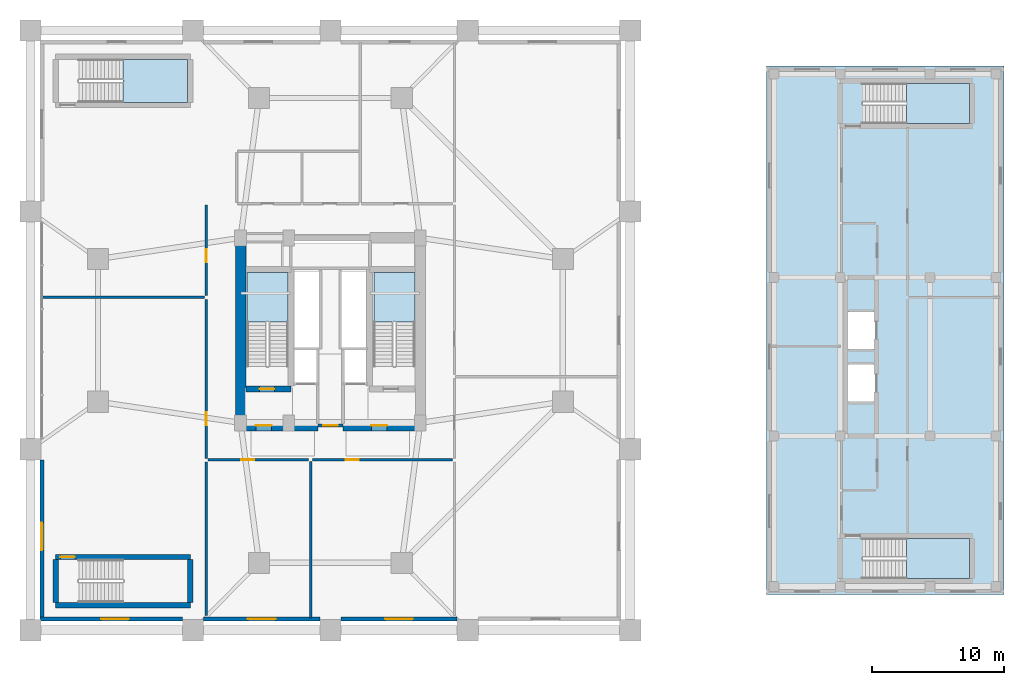
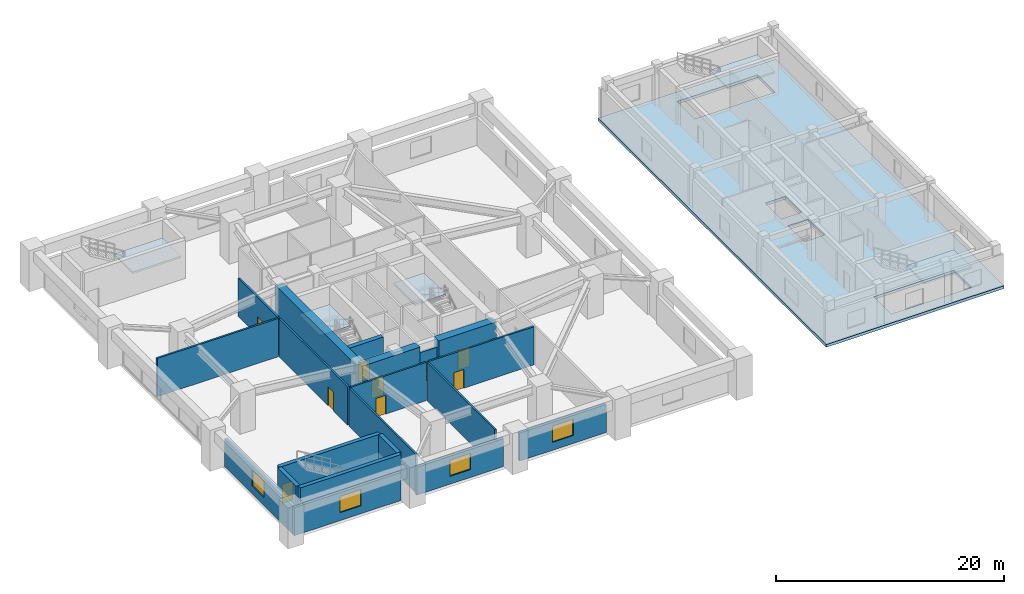
# One storey, part 8 of 16: 20 walls, 9 doors, 6 slabs, 4 windows, 13 openings, 5 elements without a shape of their own.
"""IFC4 building model written with IfcOpenShell, lengths in metres."""

from ifc_helpers import new_model, si_unit, direction, frame, frame_2d, origin, place, context, subcontext, project, spatial, polyline, rectangle, outline, extrude, source, transform, mapped, material, layer, layer_set, type_object, element, fill, aggregate, save


model = new_model("IFC4")

# Units and contexts
model_context = context("Model", 3, precision=1e-05, world=origin(), true_north=direction((0.0, 1.0)))
body_context = subcontext(model_context, "Body", "Model", "MODEL_VIEW")
ifc_project = project(units=[si_unit("LENGTHUNIT", "METRE"), si_unit("AREAUNIT", "SQUARE_METRE"), si_unit("VOLUMEUNIT", "CUBIC_METRE"), si_unit("PLANEANGLEUNIT", "RADIAN"), si_unit("MASSUNIT", "GRAM", prefix="KILO")], contexts=[model_context])

# Site, building, storey
site_placement = place(None, origin())
site = spatial("IfcSite", under=ifc_project, at=site_placement, CompositionType="ELEMENT")
building_placement = place(site_placement, origin())
building = spatial("IfcBuilding", under=site, at=building_placement, Name="Veraguas Prism Commons", CompositionType="ELEMENT")
storey_placement = place(building_placement, frame((0.0, 0.0, 14.0)))
storey = spatial("IfcBuildingStorey", under=building, at=storey_placement, Name="L03", CompositionType="ELEMENT", Elevation=14.0)

# Slab
ifc_material_1 = material(Name="Concrete C45/55", Category="concrete")
ifc_layer_1 = layer(ifc_material_1, 0.300048828125, Name="Podium Concourse and Clinic Slab RC 300", Category="concrete")
ifc_layer_set_1 = layer_set([ifc_layer_1], Name="Concrete C45/55")
slab_type_1 = type_object("IfcSlabType", Name="Podium Concourse and Clinic Slab RC 300", PredefinedType="FLOOR", material=ifc_layer_set_1)
slab_1_placement = place(storey_placement, frame((0.0, 0.0, -0.300048828125)))
element("IfcSlab", 1, at=slab_1_placement, inside=storey, type_object=slab_type_1, Name="Health Centre Floor Slab L03", PredefinedType="FLOOR", context=body_context, shape_type="SweptSolid", body=[
    extrude(outline(polyline([(57.0, 4.0), (75.0, 4.0), (75.0, 44.0), (57.0, 44.0), (57.0, 4.0)]), holes=[polyline([(64.280029296875, 5.199951171875), (72.39990234375, 5.199951171875), (72.39990234375, 8.25), (64.280029296875, 8.25), (64.280029296875, 5.199951171875)]), polyline([(64.280029296875, 39.659912109375), (72.39990234375, 39.659912109375), (72.39990234375, 42.7099609375), (64.280029296875, 42.7099609375), (64.280029296875, 39.659912109375)]), polyline([(63.199951171875, 18.60009765625), (65.25, 18.60009765625), (65.25, 21.39990234375), (63.199951171875, 21.39990234375), (63.199951171875, 18.60009765625)]), polyline([(63.199951171875, 22.60009765625), (65.25, 22.60009765625), (65.25, 25.39990234375), (63.199951171875, 25.39990234375), (63.199951171875, 22.60009765625)])]), origin(), (0.0, 0.0, 1.0), 0.300048828125),
])

# Stair, slab
ifc_material_2 = material(Name="Precast concrete C45/55", Category="concrete")
stair_type_1 = type_object("IfcStairType", Name="Dogleg Core Stair 1480W 26R 03", PredefinedType="HALF_TURN_STAIR", material=ifc_material_2)
stair_1_placement = place(storey_placement, origin())
stair_1 = element("IfcStair", 2, at=stair_1_placement, inside=storey, type_object=stair_type_1, Name="Protected Exit Stair ST-01 L03", PredefinedType="HALF_TURN_STAIR")
ifc_layer_2 = layer(ifc_material_2, 0.199951171875, Name="Precast Stair and Ramp Landing Slab 200", Category="concrete")
ifc_layer_set_2 = layer_set([ifc_layer_2], Name="Precast concrete C45/55")
slab_type_2 = type_object("IfcSlabType", Name="Precast Stair and Ramp Landing Slab 200", PredefinedType="LANDING", material=ifc_layer_set_2)
slab_2_placement = place(storey_placement, frame((0.0, 0.0, 2.0)))
slab_2 = element("IfcSlab", 3, at=slab_2_placement, type_object=slab_type_2, Name="ST-03 Landing 1", PredefinedType="LANDING", context=body_context, shape_type="SweptSolid", body=[
    extrude(outline(polyline([(20.800048828125, 24.639892578125), (20.800048828125, 28.39990234375), (17.68994140625, 28.39990234375), (17.68994140625, 24.639892578125), (20.800048828125, 24.639892578125)])), origin(), (0.0, 0.0, 1.0), 0.199951171875),
])
aggregate(stair_1, [slab_2])

stair_2_placement = place(storey_placement, origin())
stair_2 = element("IfcStair", 4, at=stair_2_placement, inside=storey, type_object=stair_type_1, Name="Protected Exit Stair ST-02 L03", PredefinedType="HALF_TURN_STAIR")
slab_3_placement = place(storey_placement, frame((0.0, 0.0, 2.0)))
slab_3 = element("IfcSlab", 5, at=slab_3_placement, type_object=slab_type_2, Name="ST-03 Landing 1", PredefinedType="LANDING", context=body_context, shape_type="SweptSolid", body=[
    extrude(outline(polyline([(30.39990234375, 24.639892578125), (30.39990234375, 28.39990234375), (27.2900390625, 28.39990234375), (27.2900390625, 24.639892578125), (30.39990234375, 24.639892578125)])), origin(), (0.0, 0.0, 1.0), 0.199951171875),
])
aggregate(stair_2, [slab_3])

stair_type_2 = type_object("IfcStairType", Name="Dogleg Core Stair 1550W 26R 11", PredefinedType="HALF_TURN_STAIR", material=ifc_material_2)
stair_3_placement = place(storey_placement, origin())
stair_3 = element("IfcStair", 6, at=stair_3_placement, inside=storey, type_object=stair_type_2, Name="Protected Exit Stair ST-M2 L03", PredefinedType="HALF_TURN_STAIR")
slab_4_placement = place(storey_placement, frame((0.0, 0.0, 2.0)))
slab_4 = element("IfcSlab", 7, at=slab_4_placement, type_object=slab_type_2, Name="ST-11 Landing 1", PredefinedType="LANDING", context=body_context, shape_type="SweptSolid", body=[
    extrude(outline(polyline([(8.31005859375, 41.260009765625), (13.199951171875, 41.260009765625), (13.199951171875, 44.510009765625), (8.31005859375, 44.510009765625), (8.31005859375, 41.260009765625)])), origin(), (0.0, 0.0, 1.0), 0.199951171875),
])
aggregate(stair_3, [slab_4])

stair_type_3 = type_object("IfcStairType", Name="Dogleg Core Stair 1450W 26R 14", PredefinedType="HALF_TURN_STAIR", material=ifc_material_2)
stair_4_placement = place(storey_placement, origin())
stair_4 = element("IfcStair", 8, at=stair_4_placement, inside=storey, type_object=stair_type_3, Name="Protected Exit Stair ST-H1 L03", PredefinedType="HALF_TURN_STAIR")
slab_5_placement = place(storey_placement, frame((0.0, 0.0, 2.0)))
slab_5 = element("IfcSlab", 9, at=slab_5_placement, type_object=slab_type_2, Name="ST-14 Landing 1", PredefinedType="LANDING", context=body_context, shape_type="SweptSolid", body=[
    extrude(outline(polyline([(67.610107421875, 5.199951171875), (72.39990234375, 5.199951171875), (72.39990234375, 8.25), (67.610107421875, 8.25), (67.610107421875, 5.199951171875)])), origin(), (0.0, 0.0, 1.0), 0.199951171875),
])
aggregate(stair_4, [slab_5])

stair_5_placement = place(storey_placement, origin())
stair_5 = element("IfcStair", 10, at=stair_5_placement, inside=storey, type_object=stair_type_3, Name="Protected Exit Stair ST-H2 L03", PredefinedType="HALF_TURN_STAIR")
slab_6_placement = place(storey_placement, frame((0.0, 0.0, 2.0)))
slab_6 = element("IfcSlab", 11, at=slab_6_placement, type_object=slab_type_2, Name="ST-14 Landing 1", PredefinedType="LANDING", context=body_context, shape_type="SweptSolid", body=[
    extrude(outline(polyline([(67.610107421875, 39.659912109375), (72.39990234375, 39.659912109375), (72.39990234375, 42.7099609375), (67.610107421875, 42.7099609375), (67.610107421875, 39.659912109375)])), origin(), (0.0, 0.0, 1.0), 0.199951171875),
])
aggregate(stair_5, [slab_6])

# Wall
ifc_material_3 = material(Name="Concrete C50/60", Category="concrete")
ifc_layer_3 = layer(ifc_material_3, 0.39990234375, Name="Clinic and Mid Core Shear Wall RC 400", Category="concrete")
ifc_layer_set_3 = layer_set([ifc_layer_3], Name="Concrete C50/60")
wall_type_1 = type_object("IfcWallType", Name="Clinic and Mid Core Shear Wall RC 400", PredefinedType="SHEAR", material=ifc_layer_set_3)
wall_1_placement = place(storey_placement, frame((3.199951171875, 3.199951171875, 0.0), z_axis=(0.0, 0.0, 1.0), x_axis=(1.0, 0.0, 0.0)))
element("IfcWall", 12, at=wall_1_placement, inside=storey, type_object=wall_type_1, Name="ST-M1 South Shear Wall L03", PredefinedType="SHEAR", context=body_context, shape_type="SweptSolid", body=[
    extrude(rectangle(XDim=10.199951171875, YDim=0.39990234375, at=frame_2d((5.10009765625, 0.0))), origin(), (0.0, 0.0, 1.0), 4.10009765625),
])

# Wall, opening, door
wall_2_placement = place(storey_placement, frame((3.199951171875, 6.85009765625, 0.0), z_axis=(0.0, 0.0, 1.0), x_axis=(1.0, 0.0, 0.0)))
wall_2 = element("IfcWall", 13, at=wall_2_placement, inside=storey, type_object=wall_type_1, Name="ST-M1 North Shear Wall L03", PredefinedType="SHEAR", context=body_context, shape_type="SweptSolid", body=[
    extrude(rectangle(XDim=10.199951171875, YDim=0.39990234375, at=frame_2d((5.10009765625, 0.0))), origin(), (0.0, 0.0, 1.0), 4.10009765625),
])
opening_1_placement = place(wall_2_placement, frame((0.35009765625, 0.0, 0.0)))
opening_1 = element("IfcOpeningElement", 14, at=opening_1_placement, cuts=wall_2, Name="Opening DR-05", PredefinedType="OPENING", context=body_context, shape_type="SweptSolid", body=[
    extrude(rectangle(XDim=1.10009765625, YDim=2.030029296875, at=frame_2d((0.550048828125, 1.01513671875))), frame((0.0, 0.2099609375, 0.0), z_axis=(0.0, -1.0, 0.0), x_axis=(1.0, 0.0, 0.0)), (0.0, 0.0, 1.0), 0.419921875),
])
ifc_material_4 = material(Name="Steel fire-rated door assembly", Category="steel")
door_type_1 = type_object("IfcDoorType", Name="Protected Stair and Refuge Fire Door 1100x2030", OperationType="NOTDEFINED", PredefinedType="DOOR", material=ifc_material_4)
shared_shape_1 = source(origin(), body_context, "Body", "SweptSolid", [
    extrude(rectangle(XDim=1.10009765625, YDim=2.030029296875, at=frame_2d((0.550048828125, 1.01513671875))), frame((0.0, 0.02490234375, 0.0), z_axis=(0.0, -1.0, 0.0), x_axis=(1.0, 0.0, 0.0)), (0.0, 0.0, 1.0), 0.050048828125),
])
door_1_placement = place(opening_1_placement, origin())
door_1 = element("IfcDoor", 15, at=door_1_placement, inside=storey, type_object=door_type_1, Name="Metro Stair ST-M1 Door L03", OperationType="SINGLE_SWING_LEFT", OverallHeight=2.030029296875, OverallWidth=1.10009765625, PredefinedType="DOOR", context=body_context, shape_type="MappedRepresentation", body=[
    mapped(shared_shape_1, transform((0.0, 0.0, 0.0), scale=1.0)),
])
fill(opening_1, door_1)

# Walls
for number, where, z_axis, x_axis, name in (
    (16, (3.199951171875, 3.39990234375, 0.0), (0.0, 0.0, 1.0), (0.0, 1.0, 0.0), "ST-M1 West Shear Wall L03"),
    (17, (13.39990234375, 3.39990234375, 0.0), (0.0, 0.0, 1.0), (0.0, 1.0, 0.0), "ST-M1 East Shear Wall L03"),
):
    element("IfcWall", number, at=place(storey_placement, frame(where, z_axis=z_axis, x_axis=x_axis)), inside=storey, type_object=wall_type_1, Name=name, PredefinedType="SHEAR", context=body_context, shape_type="SweptSolid", body=[
        extrude(rectangle(XDim=3.25, YDim=0.39990234375, at=frame_2d((1.625, 0.0))), origin(), (0.0, 0.0, 1.0), 4.10009765625),
    ])

# Wall, opening, door
ifc_material_5 = material(Name="Concrete C60/75", Category="concrete")
ifc_layer_4 = layer(ifc_material_5, 0.449951171875, Name="Core Internal Shear Wall Lower RC 450", Category="concrete")
ifc_layer_set_4 = layer_set([ifc_layer_4], Name="Concrete C60/75")
wall_type_2 = type_object("IfcWallType", Name="Core Internal Shear Wall Lower RC 450", PredefinedType="SHEAR", material=ifc_layer_set_4)
wall_3_placement = place(storey_placement, frame((17.60009765625, 19.574951171875, 0.0), z_axis=(0.0, 0.0, 1.0), x_axis=(1.0, 0.0, 0.0)))
wall_3 = element("IfcWall", 18, at=wall_3_placement, inside=storey, type_object=wall_type_2, Name="Stair ST-01 South Shear Wall L03", PredefinedType="SHEAR", context=body_context, shape_type="SweptSolid", body=[
    extrude(rectangle(XDim=3.4248046875, YDim=0.449951171875, at=frame_2d((1.71240234375, 0.0))), origin(), (0.0, 0.0, 1.0), 4.10009765625),
])
opening_2_placement = place(wall_3_placement, frame((1.050048828125, 0.0, 0.0)))
opening_2 = element("IfcOpeningElement", 19, at=opening_2_placement, cuts=wall_3, Name="Opening DR-05", PredefinedType="OPENING", context=body_context, shape_type="SweptSolid", body=[
    extrude(rectangle(XDim=1.10009765625, YDim=2.030029296875, at=frame_2d((0.550048828125, 1.01513671875))), frame((0.0, 0.23486328125, 0.0), z_axis=(0.0, -1.0, 0.0), x_axis=(1.0, 0.0, 0.0)), (0.0, 0.0, 1.0), 0.469970703125),
])
door_2_placement = place(opening_2_placement, origin())
door_2 = element("IfcDoor", 20, at=door_2_placement, inside=storey, type_object=door_type_1, Name="Stair ST-01 Enclosure Door L03", OperationType="SINGLE_SWING_LEFT", OverallHeight=2.030029296875, OverallWidth=1.10009765625, PredefinedType="DOOR", context=body_context, shape_type="MappedRepresentation", body=[
    mapped(shared_shape_1, transform((0.0, 0.0, 0.0), scale=1.0)),
])
fill(opening_2, door_2)

# Wall
ifc_layer_5 = layer(ifc_material_5, 0.800048828125, Name="Core Outer Shear Wall Lower RC 800", Category="concrete")
ifc_layer_set_5 = layer_set([ifc_layer_5], Name="Concrete C60/75")
wall_type_3 = type_object("IfcWallType", Name="Core Outer Shear Wall Lower RC 800", PredefinedType="SHEAR", material=ifc_layer_set_5)
wall_4_placement = place(storey_placement, frame((17.199951171875, 16.800048828125, 0.0), z_axis=(0.0, 0.0, 1.0), x_axis=(0.0, 1.0, 0.0)))
element("IfcWall", 21, at=wall_4_placement, inside=storey, type_object=wall_type_3, Name="Central Core West Shear Wall L03", PredefinedType="SHEAR", context=body_context, shape_type="SweptSolid", body=[
    extrude(rectangle(XDim=14.199951171875, YDim=0.800048828125, at=frame_2d((7.10009765625, 0.0))), origin(), (0.0, 0.0, 1.0), 4.10009765625),
])

# Wall, opening, door
wall_5_placement = place(storey_placement, frame((17.199951171875, 16.800048828125, 0.0), z_axis=(0.0, 0.0, 1.0), x_axis=(1.0, 0.0, 0.0)))
wall_5 = element("IfcWall", 22, at=wall_5_placement, inside=storey, type_object=wall_type_3, Name="Central Core South-West Shear Wall L03", PredefinedType="SHEAR", context=body_context, shape_type="SweptSolid", body=[
    extrude(rectangle(XDim=5.85009765625, YDim=0.800048828125, at=frame_2d((2.925048828125, 0.0))), origin(), (0.0, 0.0, 1.0), 4.10009765625),
])
opening_3_placement = place(wall_5_placement, frame((1.14990234375, 0.0, 0.0)))
opening_3 = element("IfcOpeningElement", 23, at=opening_3_placement, cuts=wall_5, Name="Opening DR-06", PredefinedType="OPENING", context=body_context, shape_type="SweptSolid", body=[
    extrude(rectangle(XDim=1.199951171875, YDim=2.030029296875, at=frame_2d((0.60009765625, 1.01513671875))), frame((0.0, 0.409912109375, 0.0), z_axis=(0.0, -1.0, 0.0), x_axis=(1.0, 0.0, 0.0)), (0.0, 0.0, 1.0), 0.820068359375),
])
door_type_2 = type_object("IfcDoorType", Name="Firefighting Lobby Smoke Door 1200x2030", OperationType="NOTDEFINED", PredefinedType="DOOR", material=ifc_material_4)
shared_shape_2 = source(origin(), body_context, "Body", "SweptSolid", [
    extrude(rectangle(XDim=1.199951171875, YDim=2.030029296875, at=frame_2d((0.60009765625, 1.01513671875))), frame((0.0, 0.02490234375, 0.0), z_axis=(0.0, -1.0, 0.0), x_axis=(1.0, 0.0, 0.0)), (0.0, 0.0, 1.0), 0.050048828125),
])
door_3_placement = place(opening_3_placement, origin())
door_3 = element("IfcDoor", 24, at=door_3_placement, inside=storey, type_object=door_type_2, Name="West FF Lobby Door L03", OperationType="SINGLE_SWING_RIGHT", OverallHeight=2.030029296875, OverallWidth=1.199951171875, PredefinedType="DOOR", context=body_context, shape_type="MappedRepresentation", body=[
    mapped(shared_shape_2, transform((0.0, 0.0, 0.0), scale=1.0)),
])
fill(opening_3, door_3)

wall_6_placement = place(storey_placement, frame((24.949951171875, 16.800048828125, 0.0), z_axis=(0.0, 0.0, 1.0), x_axis=(1.0, 0.0, 0.0)))
wall_6 = element("IfcWall", 25, at=wall_6_placement, inside=storey, type_object=wall_type_3, Name="Central Core South-East Shear Wall L03", PredefinedType="SHEAR", context=body_context, shape_type="SweptSolid", body=[
    extrude(rectangle(XDim=5.85009765625, YDim=0.800048828125, at=frame_2d((2.925048828125, 0.0))), origin(), (0.0, 0.0, 1.0), 4.10009765625),
])
opening_4_placement = place(wall_6_placement, frame((2.14990234375, 0.0, 0.0)))
opening_4 = element("IfcOpeningElement", 26, at=opening_4_placement, cuts=wall_6, Name="Opening DR-06", PredefinedType="OPENING", context=body_context, shape_type="SweptSolid", body=[
    extrude(rectangle(XDim=1.199951171875, YDim=2.030029296875, at=frame_2d((0.60009765625, 1.01513671875))), frame((0.0, 0.409912109375, 0.0), z_axis=(0.0, -1.0, 0.0), x_axis=(1.0, 0.0, 0.0)), (0.0, 0.0, 1.0), 0.820068359375),
])
door_4_placement = place(opening_4_placement, origin())
door_4 = element("IfcDoor", 27, at=door_4_placement, inside=storey, type_object=door_type_2, Name="East FF Lobby Door L03", OperationType="SINGLE_SWING_RIGHT", OverallHeight=2.030029296875, OverallWidth=1.199951171875, PredefinedType="DOOR", context=body_context, shape_type="MappedRepresentation", body=[
    mapped(shared_shape_2, transform((0.0, 0.0, 0.0), scale=1.0)),
])
fill(opening_4, door_4)

ifc_material_6 = material(Name="Autoclaved aerated masonry block 10 MPa", Category="masonry")
ifc_layer_6 = layer(ifc_material_6, 0.179931640625, Name="Corridor and Inter-Tenancy Partition 180", Category="masonry")
ifc_layer_set_6 = layer_set([ifc_layer_6], Name="Autoclaved aerated masonry block 10 MPa")
wall_type_4 = type_object("IfcWallType", Name="Corridor and Inter-Tenancy Partition 180", PredefinedType="PARTITIONING", material=ifc_layer_set_6)
wall_7_placement = place(storey_placement, frame((14.60009765625, 14.300048828125, 0.0), z_axis=(0.0, 0.0, 1.0), x_axis=(0.0, 1.0, 0.0)))
wall_7 = element("IfcWall", 28, at=wall_7_placement, inside=storey, type_object=wall_type_4, Name="WL-L03-PDPT01", PredefinedType="PARTITIONING", context=body_context, shape_type="SweptSolid", body=[
    extrude(rectangle(XDim=12.050048828125, YDim=0.179931640625, at=frame_2d((6.02490234375, 0.0))), origin(), (0.0, 0.0, 1.0), 4.10009765625),
])
opening_5_placement = place(wall_7_placement, frame((2.5, 0.0, 0.0)))
opening_5 = element("IfcOpeningElement", 29, at=opening_5_placement, cuts=wall_7, Name="Opening DR-13", PredefinedType="OPENING", context=body_context, shape_type="SweptSolid", body=[
    extrude(rectangle(XDim=1.0, YDim=2.010009765625, at=frame_2d((0.5, 1.0048828125))), frame((0.0, 0.099853515625, 0.0), z_axis=(0.0, -1.0, 0.0), x_axis=(1.0, 0.0, 0.0)), (0.0, 0.0, 1.0), 0.199951171875),
])
door_type_3 = type_object("IfcDoorType", Name="Core Accessible WC and Clinic Fire Door 1000x2010", OperationType="NOTDEFINED", PredefinedType="DOOR", material=ifc_material_4)
shared_shape_3 = source(origin(), body_context, "Body", "SweptSolid", [
    extrude(rectangle(XDim=1.0, YDim=2.010009765625, at=frame_2d((0.5, 1.0048828125))), frame((0.0, 0.02490234375, 0.0), z_axis=(0.0, -1.0, 0.0), x_axis=(1.0, 0.0, 0.0)), (0.0, 0.0, 1.0), 0.050048828125),
])
door_5_placement = place(opening_5_placement, origin())
door_5 = element("IfcDoor", 30, at=door_5_placement, inside=storey, type_object=door_type_3, Name="Co-op Youth Sports Hall Door", OperationType="SINGLE_SWING_LEFT", OverallHeight=2.010009765625, OverallWidth=1.0, PredefinedType="DOOR", context=body_context, shape_type="MappedRepresentation", body=[
    mapped(shared_shape_3, transform((0.0, 0.0, 0.0), scale=1.0)),
])
fill(opening_5, door_5)

wall_8_placement = place(storey_placement, frame((14.60009765625, 26.64990234375, 0.0), z_axis=(0.0, 0.0, 1.0), x_axis=(0.0, 1.0, 0.0)))
wall_8 = element("IfcWall", 31, at=wall_8_placement, inside=storey, type_object=wall_type_4, Name="WL-L03-PDPT02", PredefinedType="PARTITIONING", context=body_context, shape_type="SweptSolid", body=[
    extrude(rectangle(XDim=6.85009765625, YDim=0.179931640625, at=frame_2d((3.425048828125, 0.0))), origin(), (0.0, 0.0, 1.0), 4.10009765625),
])
opening_6_placement = place(wall_8_placement, frame((2.5, 0.0, 0.0)))
opening_6 = element("IfcOpeningElement", 32, at=opening_6_placement, cuts=wall_8, Name="Opening DR-13", PredefinedType="OPENING", context=body_context, shape_type="SweptSolid", body=[
    extrude(rectangle(XDim=1.0, YDim=2.010009765625, at=frame_2d((0.5, 1.0048828125))), frame((0.0, 0.099853515625, 0.0), z_axis=(0.0, -1.0, 0.0), x_axis=(1.0, 0.0, 0.0)), (0.0, 0.0, 1.0), 0.199951171875),
])
door_6_placement = place(opening_6_placement, origin())
door_6 = element("IfcDoor", 33, at=door_6_placement, inside=storey, type_object=door_type_3, Name="Music and Drama Rehearsal Studio Door", OperationType="SINGLE_SWING_RIGHT", OverallHeight=2.010009765625, OverallWidth=1.0, PredefinedType="DOOR", context=body_context, shape_type="MappedRepresentation", body=[
    mapped(shared_shape_3, transform((0.0, 0.0, 0.0), scale=1.0)),
])
fill(opening_6, door_6)

# Walls
wall_9_placement = place(storey_placement, frame((2.219970703125, 26.5, 0.0), z_axis=(0.0, 0.0, 1.0), x_axis=(1.0, 0.0, 0.0)))
element("IfcWall", 34, at=wall_9_placement, inside=storey, type_object=wall_type_4, Name="WL-L03-PDPT03", PredefinedType="PARTITIONING", context=body_context, shape_type="SweptSolid", body=[
    extrude(rectangle(XDim=12.260009765625, YDim=0.179931640625, at=frame_2d((6.1298828125, 0.0))), origin(), (0.0, 0.0, 1.0), 4.10009765625),
])
wall_10_placement = place(storey_placement, frame((14.60009765625, 2.39990234375, 0.0), z_axis=(0.0, 0.0, 1.0), x_axis=(0.0, 1.0, 0.0)))
element("IfcWall", 35, at=wall_10_placement, inside=storey, type_object=wall_type_4, Name="WL-L03-PDPT03S", PredefinedType="PARTITIONING", context=body_context, shape_type="SweptSolid", body=[
    extrude(rectangle(XDim=11.650146484375, YDim=0.179931640625, at=frame_2d((5.8251953125, 0.0))), origin(), (0.0, 0.0, 1.0), 4.10009765625),
])

# Wall, opening, door
wall_11_placement = place(storey_placement, frame((14.75, 14.199951171875, 0.0), z_axis=(0.0, 0.0, 1.0), x_axis=(1.0, 0.0, 0.0)))
wall_11 = element("IfcWall", 36, at=wall_11_placement, inside=storey, type_object=wall_type_4, Name="WL-L03-PDPT04", PredefinedType="PARTITIONING", context=body_context, shape_type="SweptSolid", body=[
    extrude(rectangle(XDim=7.60009765625, YDim=0.179931640625, at=frame_2d((3.800048828125, 0.0))), origin(), (0.0, 0.0, 1.0), 4.10009765625),
])
opening_7_placement = place(wall_11_placement, frame((2.5, 0.0, 0.0)))
opening_7 = element("IfcOpeningElement", 37, at=opening_7_placement, cuts=wall_11, Name="Opening DR-13", PredefinedType="OPENING", context=body_context, shape_type="SweptSolid", body=[
    extrude(rectangle(XDim=1.0, YDim=2.010009765625, at=frame_2d((0.5, 1.0048828125))), frame((0.0, 0.099853515625, 0.0), z_axis=(0.0, -1.0, 0.0), x_axis=(1.0, 0.0, 0.0)), (0.0, 0.0, 1.0), 0.199951171875),
])
door_7_placement = place(opening_7_placement, origin())
door_7 = element("IfcDoor", 38, at=door_7_placement, inside=storey, type_object=door_type_3, Name="Community Outreach Office Door", OperationType="SINGLE_SWING_LEFT", OverallHeight=2.010009765625, OverallWidth=1.0, PredefinedType="DOOR", context=body_context, shape_type="MappedRepresentation", body=[
    mapped(shared_shape_3, transform((0.0, 0.0, 0.0), scale=1.0)),
])
fill(opening_7, door_7)

wall_12_placement = place(storey_placement, frame((22.64990234375, 14.199951171875, 0.0), z_axis=(0.0, 0.0, 1.0), x_axis=(1.0, 0.0, 0.0)))
wall_12 = element("IfcWall", 39, at=wall_12_placement, inside=storey, type_object=wall_type_4, Name="WL-L03-PDPT05", PredefinedType="PARTITIONING", context=body_context, shape_type="SweptSolid", body=[
    extrude(rectangle(XDim=10.60009765625, YDim=0.179931640625, at=frame_2d((5.300048828125, 0.0))), origin(), (0.0, 0.0, 1.0), 4.10009765625),
])
opening_8_placement = place(wall_12_placement, frame((2.5, 0.0, 0.0)))
opening_8 = element("IfcOpeningElement", 40, at=opening_8_placement, cuts=wall_12, Name="Opening DR-13", PredefinedType="OPENING", context=body_context, shape_type="SweptSolid", body=[
    extrude(rectangle(XDim=1.0, YDim=2.010009765625, at=frame_2d((0.5, 1.0048828125))), frame((0.0, 0.099853515625, 0.0), z_axis=(0.0, -1.0, 0.0), x_axis=(1.0, 0.0, 0.0)), (0.0, 0.0, 1.0), 0.199951171875),
])
door_8_placement = place(opening_8_placement, origin())
door_8 = element("IfcDoor", 41, at=door_8_placement, inside=storey, type_object=door_type_3, Name="Co-op Culinary Teaching Kitchen Door", OperationType="SINGLE_SWING_RIGHT", OverallHeight=2.010009765625, OverallWidth=1.0, PredefinedType="DOOR", context=body_context, shape_type="MappedRepresentation", body=[
    mapped(shared_shape_3, transform((0.0, 0.0, 0.0), scale=1.0)),
])
fill(opening_8, door_8)

# Wall
wall_13_placement = place(storey_placement, frame((22.5, 2.219970703125, 0.0), z_axis=(0.0, 0.0, 1.0), x_axis=(0.0, 1.0, 0.0)))
element("IfcWall", 42, at=wall_13_placement, inside=storey, type_object=wall_type_4, Name="WL-L03-PDPT06", PredefinedType="PARTITIONING", context=body_context, shape_type="SweptSolid", body=[
    extrude(rectangle(XDim=11.860107421875, YDim=0.179931640625, at=frame_2d((5.93017578125, 0.0))), origin(), (0.0, 0.0, 1.0), 4.10009765625),
])

# Wall, opening, window
ifc_material_7 = material(Name="Precast concrete C40/50", Category="concrete")
ifc_layer_7 = layer(ifc_material_7, 0.300048828125, Name="External Precast Facade Wall 300", Category="concrete")
ifc_layer_set_7 = layer_set([ifc_layer_7], Name="Precast concrete C40/50")
wall_type_5 = type_object("IfcWallType", Name="External Precast Facade Wall 300", PredefinedType="SOLIDWALL", material=ifc_layer_set_7)
wall_14_placement = place(storey_placement, frame((2.0, 2.14990234375, 0.0), z_axis=(0.0, 0.0, 1.0), x_axis=(1.0, 0.0, 0.0)))
wall_14 = element("IfcWall", 43, at=wall_14_placement, inside=storey, type_object=wall_type_5, Name="Podium South Facade Wall L03-01", PredefinedType="SOLIDWALL", context=body_context, shape_type="SweptSolid", body=[
    extrude(rectangle(XDim=10.800048828125, YDim=0.300048828125, at=frame_2d((5.39990234375, 0.0))), origin(), (0.0, 0.0, 1.0), 3.0),
])
opening_9_placement = place(wall_14_placement, frame((4.64990234375, 0.0, 0.85009765625)))
opening_9 = element("IfcOpeningElement", 44, at=opening_9_placement, cuts=wall_14, Name="Opening WN-07", PredefinedType="OPENING", context=body_context, shape_type="SweptSolid", body=[
    extrude(rectangle(XDim=2.10009765625, YDim=1.75, at=frame_2d((1.050048828125, 0.875))), frame((0.0, 0.159912109375, 0.0), z_axis=(0.0, -1.0, 0.0), x_axis=(1.0, 0.0, 0.0)), (0.0, 0.0, 1.0), 0.320068359375),
])
ifc_material_8 = material(Name="Laminated low-e glass", Category="glass")
window_type = type_object("IfcWindowType", Name="Podium Community Window 2100x1750", PartitioningType="DOUBLE_PANEL_VERTICAL", PredefinedType="WINDOW", material=ifc_material_8)
shared_shape_4 = source(origin(), body_context, "Body", "SweptSolid", [
    extrude(rectangle(XDim=2.10009765625, YDim=1.75, at=frame_2d((1.050048828125, 0.875))), frame((0.0, 0.030029296875, 0.0), z_axis=(0.0, -1.0, 0.0), x_axis=(1.0, 0.0, 0.0)), (0.0, 0.0, 1.0), 0.06005859375),
])
window_1_placement = place(opening_9_placement, origin())
window_1 = element("IfcWindow", 45, at=window_1_placement, inside=storey, type_object=window_type, Name="Podium South Window L03-01", OverallHeight=1.75, OverallWidth=2.10009765625, PartitioningType="DOUBLE_PANEL_VERTICAL", PredefinedType="WINDOW", context=body_context, shape_type="MappedRepresentation", body=[
    mapped(shared_shape_4, transform((0.0, 0.0, 0.0), scale=1.0)),
])
fill(opening_9, window_1)

wall_15_placement = place(storey_placement, frame((14.39990234375, 2.14990234375, 0.0), z_axis=(0.0, 0.0, 1.0), x_axis=(1.0, 0.0, 0.0)))
wall_15 = element("IfcWall", 46, at=wall_15_placement, inside=storey, type_object=wall_type_5, Name="Podium South Facade Wall L03-02", PredefinedType="SOLIDWALL", context=body_context, shape_type="SweptSolid", body=[
    extrude(rectangle(XDim=8.800048828125, YDim=0.300048828125, at=frame_2d((4.39990234375, 0.0))), origin(), (0.0, 0.0, 1.0), 3.0),
])
opening_10_placement = place(wall_15_placement, frame((3.35009765625, 0.0, 0.85009765625)))
opening_10 = element("IfcOpeningElement", 47, at=opening_10_placement, cuts=wall_15, Name="Opening WN-07", PredefinedType="OPENING", context=body_context, shape_type="SweptSolid", body=[
    extrude(rectangle(XDim=2.10009765625, YDim=1.75, at=frame_2d((1.050048828125, 0.875))), frame((0.0, 0.159912109375, 0.0), z_axis=(0.0, -1.0, 0.0), x_axis=(1.0, 0.0, 0.0)), (0.0, 0.0, 1.0), 0.320068359375),
])
window_2_placement = place(opening_10_placement, origin())
window_2 = element("IfcWindow", 48, at=window_2_placement, inside=storey, type_object=window_type, Name="Podium South Window L03-02", OverallHeight=1.75, OverallWidth=2.10009765625, PartitioningType="DOUBLE_PANEL_VERTICAL", PredefinedType="WINDOW", context=body_context, shape_type="MappedRepresentation", body=[
    mapped(shared_shape_4, transform((0.0, 0.0, 0.0), scale=1.0)),
])
fill(opening_10, window_2)

wall_16_placement = place(storey_placement, frame((24.800048828125, 2.14990234375, 0.0), z_axis=(0.0, 0.0, 1.0), x_axis=(1.0, 0.0, 0.0)))
wall_16 = element("IfcWall", 49, at=wall_16_placement, inside=storey, type_object=wall_type_5, Name="Podium South Facade Wall L03-03", PredefinedType="SOLIDWALL", context=body_context, shape_type="SweptSolid", body=[
    extrude(rectangle(XDim=8.800048828125, YDim=0.300048828125, at=frame_2d((4.39990234375, 0.0))), origin(), (0.0, 0.0, 1.0), 3.0),
])
opening_11_placement = place(wall_16_placement, frame((3.35009765625, 0.0, 0.85009765625)))
opening_11 = element("IfcOpeningElement", 50, at=opening_11_placement, cuts=wall_16, Name="Opening WN-07", PredefinedType="OPENING", context=body_context, shape_type="SweptSolid", body=[
    extrude(rectangle(XDim=2.10009765625, YDim=1.75, at=frame_2d((1.050048828125, 0.875))), frame((0.0, 0.159912109375, 0.0), z_axis=(0.0, -1.0, 0.0), x_axis=(1.0, 0.0, 0.0)), (0.0, 0.0, 1.0), 0.320068359375),
])
window_3_placement = place(opening_11_placement, origin())
window_3 = element("IfcWindow", 51, at=window_3_placement, inside=storey, type_object=window_type, Name="Podium South Window L03-03", OverallHeight=1.75, OverallWidth=2.10009765625, PartitioningType="DOUBLE_PANEL_VERTICAL", PredefinedType="WINDOW", context=body_context, shape_type="MappedRepresentation", body=[
    mapped(shared_shape_4, transform((0.0, 0.0, 0.0), scale=1.0)),
])
fill(opening_11, window_3)

wall_17_placement = place(storey_placement, frame((2.14990234375, 14.199951171875, 0.0), z_axis=(0.0, 0.0, 1.0), x_axis=(0.0, -1.0, 0.0)))
wall_17 = element("IfcWall", 52, at=wall_17_placement, inside=storey, type_object=wall_type_5, Name="Podium West Facade Wall L03-03", PredefinedType="SOLIDWALL", context=body_context, shape_type="SweptSolid", body=[
    extrude(rectangle(XDim=11.89990234375, YDim=0.300048828125, at=frame_2d((5.949951171875, 0.0))), origin(), (0.0, 0.0, 1.0), 3.0),
])
opening_12_placement = place(wall_17_placement, frame((4.75, 0.0, 0.85009765625)))
opening_12 = element("IfcOpeningElement", 53, at=opening_12_placement, cuts=wall_17, Name="Opening WN-07", PredefinedType="OPENING", context=body_context, shape_type="SweptSolid", body=[
    extrude(rectangle(XDim=2.10009765625, YDim=1.75, at=frame_2d((1.050048828125, 0.875))), frame((0.0, 0.159912109375, 0.0), z_axis=(0.0, -1.0, 0.0), x_axis=(1.0, 0.0, 0.0)), (0.0, 0.0, 1.0), 0.320068359375),
])
window_4_placement = place(opening_12_placement, origin())
window_4 = element("IfcWindow", 54, at=window_4_placement, inside=storey, type_object=window_type, Name="Podium West Window L03-03", OverallHeight=1.75, OverallWidth=2.10009765625, PartitioningType="DOUBLE_PANEL_VERTICAL", PredefinedType="WINDOW", context=body_context, shape_type="MappedRepresentation", body=[
    mapped(shared_shape_4, transform((0.0, 0.0, 0.0), scale=1.0)),
])
fill(opening_12, window_4)

# Wall, opening, door
ifc_layer_8 = layer(ifc_material_6, 0.199951171875, Name="Rated Shaft and Lobby Block Wall 200", Category="masonry")
ifc_layer_set_8 = layer_set([ifc_layer_8], Name="Autoclaved aerated masonry block 10 MPa")
wall_type_6 = type_object("IfcWallType", Name="Rated Shaft and Lobby Block Wall 200", PredefinedType="SOLIDWALL", material=ifc_layer_set_8)
wall_18_placement = place(storey_placement, frame((23.050048828125, 16.800048828125, 0.0), z_axis=(0.0, 0.0, 1.0), x_axis=(1.0, 0.0, 0.0)))
wall_18 = element("IfcWall", 55, at=wall_18_placement, inside=storey, type_object=wall_type_6, Name="Central Core Lobby Entrance Wall L03", PredefinedType="SOLIDWALL", context=body_context, shape_type="SweptSolid", body=[
    extrude(rectangle(XDim=1.89990234375, YDim=0.199951171875, at=frame_2d((0.949951171875, 0.0))), origin(), (0.0, 0.0, 1.0), 3.25),
])
opening_13_placement = place(wall_18_placement, frame((0.39990234375, 0.0, 0.0)))
opening_13 = element("IfcOpeningElement", 56, at=opening_13_placement, cuts=wall_18, Name="Opening DR-05", PredefinedType="OPENING", context=body_context, shape_type="SweptSolid", body=[
    extrude(rectangle(XDim=1.10009765625, YDim=2.030029296875, at=frame_2d((0.550048828125, 1.01513671875))), frame((0.0, 0.10986328125, 0.0), z_axis=(0.0, -1.0, 0.0), x_axis=(1.0, 0.0, 0.0)), (0.0, 0.0, 1.0), 0.219970703125),
])
door_9_placement = place(opening_13_placement, origin())
door_9 = element("IfcDoor", 57, at=door_9_placement, inside=storey, type_object=door_type_1, Name="Central Lobby Door L03", OperationType="SINGLE_SWING_LEFT", OverallHeight=2.030029296875, OverallWidth=1.10009765625, PredefinedType="DOOR", context=body_context, shape_type="MappedRepresentation", body=[
    mapped(shared_shape_1, transform((0.0, 0.0, 0.0), scale=1.0)),
])
fill(opening_13, door_9)

save(model, "model.ifc")
